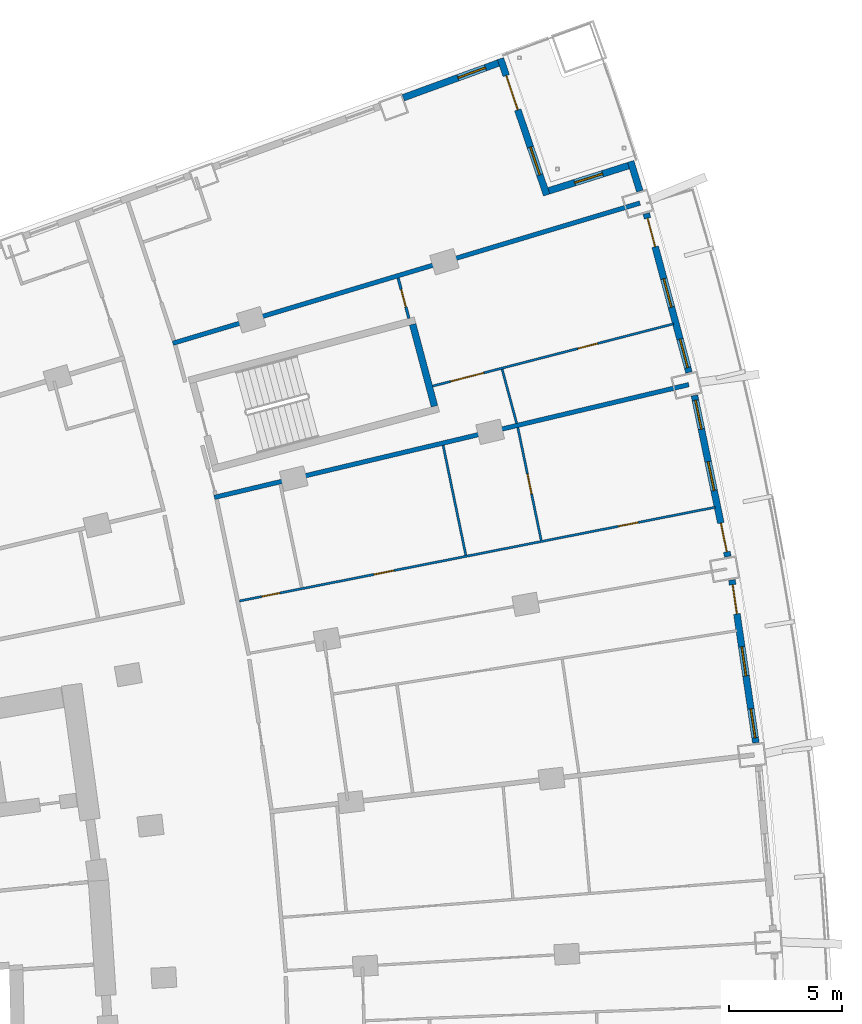
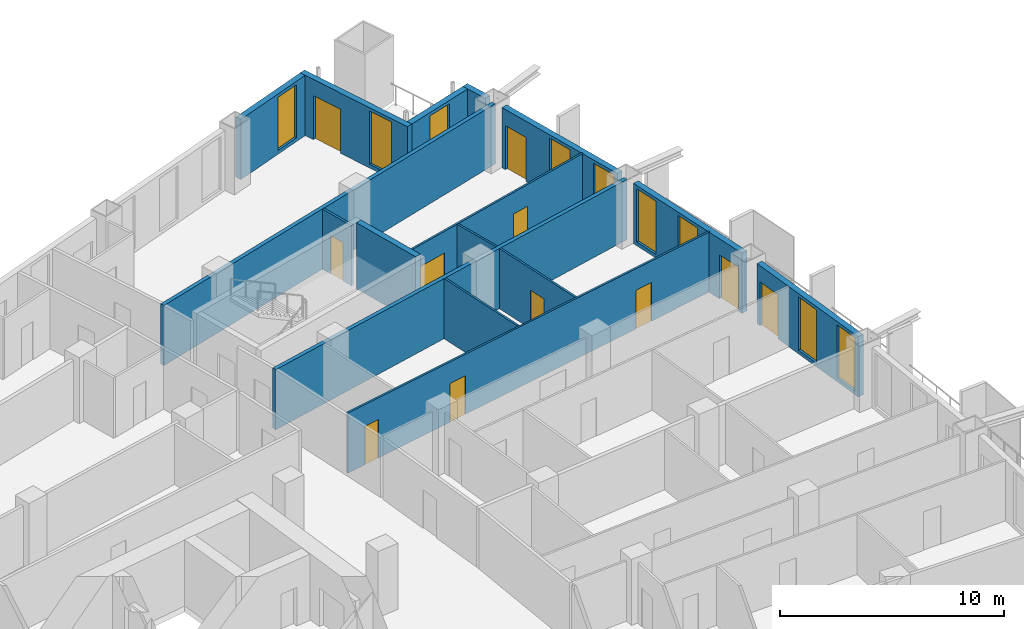
# One storey, part 21 of 25: 16 walls, 11 doors, 9 windows, 20 openings.
"""IFC4 building model written with IfcOpenShell, lengths in metres."""

from ifc_helpers import new_model, si_unit, direction, frame, frame_2d, origin, place, context, subcontext, project, spatial, rectangle, extrude, material, layer, layer_set, type_object, element, fill, save


model = new_model("IFC4")

# Units and contexts
model_context = context("Model", 3, precision=1e-05, world=origin(), true_north=direction((0.0, 1.0)))
body_context = subcontext(model_context, "Body", "Model", "MODEL_VIEW")
ifc_project = project(units=[si_unit("LENGTHUNIT", "METRE"), si_unit("AREAUNIT", "SQUARE_METRE"), si_unit("VOLUMEUNIT", "CUBIC_METRE"), si_unit("PLANEANGLEUNIT", "RADIAN"), si_unit("MASSUNIT", "GRAM", prefix="KILO")], contexts=[model_context])

# Site, building, storey
site_placement = place(None, origin())
site = spatial("IfcSite", under=ifc_project, at=site_placement, CompositionType="ELEMENT")
building_placement = place(site_placement, origin())
building = spatial("IfcBuilding", under=site, at=building_placement, Name="Alderwake Tower", CompositionType="ELEMENT")
storey_placement = place(building_placement, frame((0.0, 0.0, 57.199951171875)))
storey = spatial("IfcBuildingStorey", under=building, at=storey_placement, Name="L13", CompositionType="ELEMENT", Elevation=57.199951171875)

# Wall
ifc_material_1 = material(Name="Concrete C70/85", Category="concrete")
ifc_layer_1 = layer(ifc_material_1, 0.300048828125)
ifc_layer_set_1 = layer_set([ifc_layer_1], Name="Core wall stair enclosure 300 C70-85")
wall_type_1 = type_object("IfcWallType", Name="Core wall stair enclosure 300 C70-85", PredefinedType="SHEAR", material=ifc_layer_set_1)
wall_1_placement = place(storey_placement, frame((47.581298828125, 93.041748046875, 0.0), z_axis=(0.0, 0.0, 1.0), x_axis=(-0.257366821694, 0.966313778796, 0.0)))
element("IfcWall", 1, at=wall_1_placement, inside=storey, type_object=wall_type_1, Name="Core wall CW.081", PredefinedType="SHEAR", context=body_context, shape_type="SweptSolid", body=[
    extrude(rectangle(XDim=3.749755859375, YDim=0.300048828125, at=frame_2d((1.875, 0.0))), origin(), (0.0, 0.0, 1.0), 3.60009765625),
])

# Wall, openings, door, windows
ifc_material_2 = material(Name="Precast concrete C50/60 spandrel panel", Category="concrete")
ifc_layer_2 = layer(ifc_material_2, 0.300048828125)
ifc_layer_set_2 = layer_set([ifc_layer_2], Name="External wall EW1 Precast concrete C50/60 spandrel")
wall_type_2 = type_object("IfcWallType", Name="External wall EW1 Precast concrete C50/60 spandrel", PredefinedType="SOLIDWALL", material=ifc_layer_set_2)
wall_2_placement = place(storey_placement, frame((61.802734375, 78.147216796875, 0.0), z_axis=(0.0, 0.0, 1.0), x_axis=(-0.14532991295, 0.989383250516, 0.0)))
wall_2 = element("IfcWall", 2, at=wall_2_placement, inside=storey, type_object=wall_type_2, Name="External wall 19", PredefinedType="SOLIDWALL", context=body_context, shape_type="SweptSolid", body=[
    extrude(rectangle(XDim=7.282470703125, YDim=0.300048828125, at=frame_2d((3.64111328125, 0.0))), origin(), (0.0, 0.0, 1.0), 3.280029296875),
])
opening_1_placement = place(wall_2_placement, frame((0.218994140625, 0.0, 0.199951171875)))
opening_1 = element("IfcOpeningElement", 3, at=opening_1_placement, cuts=wall_2, Name="Opening W1", PredefinedType="OPENING", context=body_context, shape_type="SweptSolid", body=[
    extrude(rectangle(XDim=1.300048828125, YDim=2.89990234375, at=frame_2d((0.64990234375, 1.449951171875))), frame((0.0, 0.159912109375, 0.0), z_axis=(0.0, -1.0, 0.0), x_axis=(1.0, 0.0, 0.0)), (0.0, 0.0, 1.0), 0.320068359375),
])
opening_2_placement = place(wall_2_placement, frame((2.9912109375, 0.0, 0.199951171875)))
opening_2 = element("IfcOpeningElement", 4, at=opening_2_placement, cuts=wall_2, Name="Opening W1", PredefinedType="OPENING", context=body_context, shape_type="SweptSolid", body=[
    extrude(rectangle(XDim=1.300048828125, YDim=2.89990234375, at=frame_2d((0.64990234375, 1.449951171875))), frame((0.0, 0.159912109375, 0.0), z_axis=(0.0, -1.0, 0.0), x_axis=(1.0, 0.0, 0.0)), (0.0, 0.0, 1.0), 0.320068359375),
])
opening_3_placement = place(wall_2_placement, frame((5.763671875, 0.0, 0.0)))
opening_3 = element("IfcOpeningElement", 5, at=opening_3_placement, cuts=wall_2, Name="Opening D09", PredefinedType="OPENING", context=body_context, shape_type="SweptSolid", body=[
    extrude(rectangle(XDim=1.300048828125, YDim=2.39990234375, at=frame_2d((0.64990234375, 1.199951171875))), frame((0.0, 0.159912109375, 0.0), z_axis=(0.0, -1.0, 0.0), x_axis=(1.0, 0.0, 0.0)), (0.0, 0.0, 1.0), 0.320068359375),
])
ifc_material_3 = material(Name="Bronze tinted glass in aluminium frame", Category="aluminium")
door_type_1 = type_object("IfcDoorType", Name="Balcony door BD sliding", OperationType="SLIDING_TO_LEFT", PredefinedType="DOOR", material=ifc_material_3)
door_1_placement = place(opening_3_placement, origin())
door_1 = element("IfcDoor", 6, at=door_1_placement, inside=storey, type_object=door_type_1, Name="Door D09", OperationType="SLIDING_TO_LEFT", OverallHeight=2.39990234375, OverallWidth=1.300048828125, PredefinedType="DOOR", context=body_context, shape_type="SweptSolid", body=[
    extrude(rectangle(XDim=1.300048828125, YDim=2.39990234375, at=frame_2d((0.64990234375, 1.199951171875))), frame((0.0, 0.02490234375, 0.0), z_axis=(0.0, -1.0, 0.0), x_axis=(1.0, 0.0, 0.0)), (0.0, 0.0, 1.0), 0.050048828125),
])
fill(opening_3, door_1)
ifc_material_4 = material(Name="Bronze tinted glass in aluminium frame", Category="aluminium")
window_type = type_object("IfcWindowType", Name="Window W1 tall fixed and vent", PartitioningType="DOUBLE_PANEL_VERTICAL", PredefinedType="WINDOW", material=ifc_material_4)
window_1_placement = place(opening_1_placement, origin())
window_1 = element("IfcWindow", 7, at=window_1_placement, inside=storey, type_object=window_type, Name="Window W1 tall fixed and vent", OverallHeight=2.89990234375, OverallWidth=1.300048828125, PartitioningType="DOUBLE_PANEL_VERTICAL", PredefinedType="WINDOW", context=body_context, shape_type="SweptSolid", body=[
    extrude(rectangle(XDim=1.300048828125, YDim=2.89990234375, at=frame_2d((0.64990234375, 1.449951171875))), frame((0.0, 0.030029296875, 0.0), z_axis=(0.0, -1.0, 0.0), x_axis=(1.0, 0.0, 0.0)), (0.0, 0.0, 1.0), 0.06005859375),
])
fill(opening_1, window_1)
window_2_placement = place(opening_2_placement, origin())
window_2 = element("IfcWindow", 8, at=window_2_placement, inside=storey, type_object=window_type, Name="Window W1 tall fixed and vent", OverallHeight=2.89990234375, OverallWidth=1.300048828125, PartitioningType="DOUBLE_PANEL_VERTICAL", PredefinedType="WINDOW", context=body_context, shape_type="SweptSolid", body=[
    extrude(rectangle(XDim=1.300048828125, YDim=2.89990234375, at=frame_2d((0.64990234375, 1.449951171875))), frame((0.0, 0.030029296875, 0.0), z_axis=(0.0, -1.0, 0.0), x_axis=(1.0, 0.0, 0.0)), (0.0, 0.0, 1.0), 0.06005859375),
])
fill(opening_2, window_2)

wall_3_placement = place(storey_placement, frame((60.561767578125, 86.385009765625, 0.0), z_axis=(0.0, 0.0, 1.0), x_axis=(-0.202751929138, 0.979230133948, 0.0)))
wall_3 = element("IfcWall", 9, at=wall_3_placement, inside=storey, type_object=wall_type_2, Name="External wall 20", PredefinedType="SOLIDWALL", context=body_context, shape_type="SweptSolid", body=[
    extrude(rectangle(XDim=7.28271484375, YDim=0.300048828125, at=frame_2d((3.641357421875, 0.0))), origin(), (0.0, 0.0, 1.0), 3.280029296875),
])
opening_4_placement = place(wall_3_placement, frame((0.218994140625, 0.0, 0.0)))
opening_4 = element("IfcOpeningElement", 10, at=opening_4_placement, cuts=wall_3, Name="Opening D10", PredefinedType="OPENING", context=body_context, shape_type="SweptSolid", body=[
    extrude(rectangle(XDim=1.300048828125, YDim=2.39990234375, at=frame_2d((0.64990234375, 1.199951171875))), frame((0.0, 0.159912109375, 0.0), z_axis=(0.0, -1.0, 0.0), x_axis=(1.0, 0.0, 0.0)), (0.0, 0.0, 1.0), 0.320068359375),
])
opening_5_placement = place(wall_3_placement, frame((2.9912109375, 0.0, 0.199951171875)))
opening_5 = element("IfcOpeningElement", 11, at=opening_5_placement, cuts=wall_3, Name="Opening W1", PredefinedType="OPENING", context=body_context, shape_type="SweptSolid", body=[
    extrude(rectangle(XDim=1.300048828125, YDim=2.89990234375, at=frame_2d((0.64990234375, 1.449951171875))), frame((0.0, 0.159912109375, 0.0), z_axis=(0.0, -1.0, 0.0), x_axis=(1.0, 0.0, 0.0)), (0.0, 0.0, 1.0), 0.320068359375),
])
opening_6_placement = place(wall_3_placement, frame((5.763671875, 0.0, 0.199951171875)))
opening_6 = element("IfcOpeningElement", 12, at=opening_6_placement, cuts=wall_3, Name="Opening W1", PredefinedType="OPENING", context=body_context, shape_type="SweptSolid", body=[
    extrude(rectangle(XDim=1.300048828125, YDim=2.89990234375, at=frame_2d((0.64990234375, 1.449951171875))), frame((0.0, 0.159912109375, 0.0), z_axis=(0.0, -1.0, 0.0), x_axis=(1.0, 0.0, 0.0)), (0.0, 0.0, 1.0), 0.320068359375),
])
door_2_placement = place(opening_4_placement, origin())
door_2 = element("IfcDoor", 13, at=door_2_placement, inside=storey, type_object=door_type_1, Name="Door D10", OperationType="SLIDING_TO_LEFT", OverallHeight=2.39990234375, OverallWidth=1.300048828125, PredefinedType="DOOR", context=body_context, shape_type="SweptSolid", body=[
    extrude(rectangle(XDim=1.300048828125, YDim=2.39990234375, at=frame_2d((0.64990234375, 1.199951171875))), frame((0.0, 0.02490234375, 0.0), z_axis=(0.0, -1.0, 0.0), x_axis=(1.0, 0.0, 0.0)), (0.0, 0.0, 1.0), 0.050048828125),
])
fill(opening_4, door_2)
window_3_placement = place(opening_5_placement, origin())
window_3 = element("IfcWindow", 14, at=window_3_placement, inside=storey, type_object=window_type, Name="Window W1 tall fixed and vent", OverallHeight=2.89990234375, OverallWidth=1.300048828125, PartitioningType="DOUBLE_PANEL_VERTICAL", PredefinedType="WINDOW", context=body_context, shape_type="SweptSolid", body=[
    extrude(rectangle(XDim=1.300048828125, YDim=2.89990234375, at=frame_2d((0.64990234375, 1.449951171875))), frame((0.0, 0.030029296875, 0.0), z_axis=(0.0, -1.0, 0.0), x_axis=(1.0, 0.0, 0.0)), (0.0, 0.0, 1.0), 0.06005859375),
])
fill(opening_5, window_3)
window_4_placement = place(opening_6_placement, origin())
window_4 = element("IfcWindow", 15, at=window_4_placement, inside=storey, type_object=window_type, Name="Window W1 tall fixed and vent", OverallHeight=2.89990234375, OverallWidth=1.300048828125, PartitioningType="DOUBLE_PANEL_VERTICAL", PredefinedType="WINDOW", context=body_context, shape_type="SweptSolid", body=[
    extrude(rectangle(XDim=1.300048828125, YDim=2.89990234375, at=frame_2d((0.64990234375, 1.449951171875))), frame((0.0, 0.030029296875, 0.0), z_axis=(0.0, -1.0, 0.0), x_axis=(1.0, 0.0, 0.0)), (0.0, 0.0, 1.0), 0.06005859375),
])
fill(opening_6, window_4)

wall_4_placement = place(storey_placement, frame((58.8427734375, 94.53662109375, 0.0), z_axis=(0.0, 0.0, 1.0), x_axis=(-0.259504577704, 0.9657418776, 0.0)))
wall_4 = element("IfcWall", 16, at=wall_4_placement, inside=storey, type_object=wall_type_2, Name="External wall 21", PredefinedType="SOLIDWALL", context=body_context, shape_type="SweptSolid", body=[
    extrude(rectangle(XDim=7.28271484375, YDim=0.300048828125, at=frame_2d((3.641357421875, 0.0))), origin(), (0.0, 0.0, 1.0), 3.280029296875),
])
opening_7_placement = place(wall_4_placement, frame((0.218994140625, 0.0, 0.199951171875)))
opening_7 = element("IfcOpeningElement", 17, at=opening_7_placement, cuts=wall_4, Name="Opening W1", PredefinedType="OPENING", context=body_context, shape_type="SweptSolid", body=[
    extrude(rectangle(XDim=1.300048828125, YDim=2.89990234375, at=frame_2d((0.64990234375, 1.449951171875))), frame((0.0, 0.159912109375, 0.0), z_axis=(0.0, -1.0, 0.0), x_axis=(1.0, 0.0, 0.0)), (0.0, 0.0, 1.0), 0.320068359375),
])
opening_8_placement = place(wall_4_placement, frame((2.9912109375, 0.0, 0.199951171875)))
opening_8 = element("IfcOpeningElement", 18, at=opening_8_placement, cuts=wall_4, Name="Opening W1", PredefinedType="OPENING", context=body_context, shape_type="SweptSolid", body=[
    extrude(rectangle(XDim=1.300048828125, YDim=2.89990234375, at=frame_2d((0.64990234375, 1.449951171875))), frame((0.0, 0.159912109375, 0.0), z_axis=(0.0, -1.0, 0.0), x_axis=(1.0, 0.0, 0.0)), (0.0, 0.0, 1.0), 0.320068359375),
])
opening_9_placement = place(wall_4_placement, frame((5.763671875, 0.0, 0.0)))
opening_9 = element("IfcOpeningElement", 19, at=opening_9_placement, cuts=wall_4, Name="Opening D11", PredefinedType="OPENING", context=body_context, shape_type="SweptSolid", body=[
    extrude(rectangle(XDim=1.300048828125, YDim=2.39990234375, at=frame_2d((0.64990234375, 1.199951171875))), frame((0.0, 0.159912109375, 0.0), z_axis=(0.0, -1.0, 0.0), x_axis=(1.0, 0.0, 0.0)), (0.0, 0.0, 1.0), 0.320068359375),
])
door_3_placement = place(opening_9_placement, origin())
door_3 = element("IfcDoor", 20, at=door_3_placement, inside=storey, type_object=door_type_1, Name="Door D11", OperationType="SLIDING_TO_LEFT", OverallHeight=2.39990234375, OverallWidth=1.300048828125, PredefinedType="DOOR", context=body_context, shape_type="SweptSolid", body=[
    extrude(rectangle(XDim=1.300048828125, YDim=2.39990234375, at=frame_2d((0.64990234375, 1.199951171875))), frame((0.0, 0.02490234375, 0.0), z_axis=(0.0, -1.0, 0.0), x_axis=(1.0, 0.0, 0.0)), (0.0, 0.0, 1.0), 0.050048828125),
])
fill(opening_9, door_3)
window_5_placement = place(opening_7_placement, origin())
window_5 = element("IfcWindow", 21, at=window_5_placement, inside=storey, type_object=window_type, Name="Window W1 tall fixed and vent", OverallHeight=2.89990234375, OverallWidth=1.300048828125, PartitioningType="DOUBLE_PANEL_VERTICAL", PredefinedType="WINDOW", context=body_context, shape_type="SweptSolid", body=[
    extrude(rectangle(XDim=1.300048828125, YDim=2.89990234375, at=frame_2d((0.64990234375, 1.449951171875))), frame((0.0, 0.030029296875, 0.0), z_axis=(0.0, -1.0, 0.0), x_axis=(1.0, 0.0, 0.0)), (0.0, 0.0, 1.0), 0.06005859375),
])
fill(opening_7, window_5)
window_6_placement = place(opening_8_placement, origin())
window_6 = element("IfcWindow", 22, at=window_6_placement, inside=storey, type_object=window_type, Name="Window W1 tall fixed and vent", OverallHeight=2.89990234375, OverallWidth=1.300048828125, PartitioningType="DOUBLE_PANEL_VERTICAL", PredefinedType="WINDOW", context=body_context, shape_type="SweptSolid", body=[
    extrude(rectangle(XDim=1.300048828125, YDim=2.89990234375, at=frame_2d((0.64990234375, 1.449951171875))), frame((0.0, 0.030029296875, 0.0), z_axis=(0.0, -1.0, 0.0), x_axis=(1.0, 0.0, 0.0)), (0.0, 0.0, 1.0), 0.06005859375),
])
fill(opening_8, window_6)

# Wall
wall_5_placement = place(storey_placement, frame((56.667724609375, 102.56005859375, 0.0), z_axis=(0.0, 0.0, 1.0), x_axis=(-0.294496968281, 0.955652413628, 0.0)))
element("IfcWall", 23, at=wall_5_placement, inside=storey, type_object=wall_type_2, Name="External wall 22", PredefinedType="SOLIDWALL", context=body_context, shape_type="SweptSolid", body=[
    extrude(rectangle(XDim=1.376953125, YDim=0.300048828125, at=frame_2d((0.6884765625, 0.0))), origin(), (0.0, 0.0, 1.0), 3.280029296875),
])

# Wall, opening, window
ifc_material_5 = material(Name="Bronze metal cladding on lightweight framing")
ifc_layer_3 = layer(ifc_material_5, 0.300048828125)
ifc_layer_set_3 = layer_set([ifc_layer_3], Name="External wall EW2 bronze metal cladding")
wall_type_3 = type_object("IfcWallType", Name="External wall EW2 bronze metal cladding", PredefinedType="SOLIDWALL", material=ifc_layer_set_3)
wall_6_placement = place(storey_placement, frame((56.163330078125, 103.6875, 0.0), z_axis=(0.0, 0.0, 1.0), x_axis=(-0.953466730622, -0.301498248083, 0.0)))
wall_6 = element("IfcWall", 24, at=wall_6_placement, inside=storey, type_object=wall_type_3, Name="External wall 23", PredefinedType="SOLIDWALL", context=body_context, shape_type="SweptSolid", body=[
    extrude(rectangle(XDim=3.694091796875, YDim=0.300048828125, at=frame_2d((1.84716796875, 0.0))), origin(), (0.0, 0.0, 1.0), 3.280029296875),
])
opening_10_placement = place(wall_6_placement, frame((1.197021484375, 0.0, 0.199951171875)))
opening_10 = element("IfcOpeningElement", 25, at=opening_10_placement, cuts=wall_6, Name="Opening W1", PredefinedType="OPENING", context=body_context, shape_type="SweptSolid", body=[
    extrude(rectangle(XDim=1.300048828125, YDim=2.89990234375, at=frame_2d((0.64990234375, 1.449951171875))), frame((0.0, 0.159912109375, 0.0), z_axis=(0.0, -1.0, 0.0), x_axis=(1.0, 0.0, 0.0)), (0.0, 0.0, 1.0), 0.320068359375),
])
window_7_placement = place(opening_10_placement, origin())
window_7 = element("IfcWindow", 26, at=window_7_placement, inside=storey, type_object=window_type, Name="Window W1 tall fixed and vent", OverallHeight=2.89990234375, OverallWidth=1.300048828125, PartitioningType="DOUBLE_PANEL_VERTICAL", PredefinedType="WINDOW", context=body_context, shape_type="SweptSolid", body=[
    extrude(rectangle(XDim=1.300048828125, YDim=2.89990234375, at=frame_2d((0.64990234375, 1.449951171875))), frame((0.0, 0.030029296875, 0.0), z_axis=(0.0, -1.0, 0.0), x_axis=(1.0, 0.0, 0.0)), (0.0, 0.0, 1.0), 0.06005859375),
])
fill(opening_10, window_7)

# Wall, openings, door, window
wall_7_placement = place(storey_placement, frame((52.546142578125, 102.386474609375, 0.0), z_axis=(0.0, 0.0, 1.0), x_axis=(-0.320935050744, 0.947101205365, 0.0)))
wall_7 = element("IfcWall", 27, at=wall_7_placement, inside=storey, type_object=wall_type_3, Name="External wall 24", PredefinedType="SOLIDWALL", context=body_context, shape_type="SweptSolid", body=[
    extrude(rectangle(XDim=6.3740234375, YDim=0.300048828125, at=frame_2d((3.18701171875, 0.0))), origin(), (0.0, 0.0, 1.0), 3.280029296875),
])
opening_11_placement = place(wall_7_placement, frame((0.943603515625, 0.0, 0.199951171875)))
opening_11 = element("IfcOpeningElement", 28, at=opening_11_placement, cuts=wall_7, Name="Opening W1", PredefinedType="OPENING", context=body_context, shape_type="SweptSolid", body=[
    extrude(rectangle(XDim=1.300048828125, YDim=2.89990234375, at=frame_2d((0.64990234375, 1.449951171875))), frame((0.0, 0.159912109375, 0.0), z_axis=(0.0, -1.0, 0.0), x_axis=(1.0, 0.0, 0.0)), (0.0, 0.0, 1.0), 0.320068359375),
])
opening_12_placement = place(wall_7_placement, frame((3.980712890625, 0.0, 0.0)))
opening_12 = element("IfcOpeningElement", 29, at=opening_12_placement, cuts=wall_7, Name="Opening D12", PredefinedType="OPENING", context=body_context, shape_type="SweptSolid", body=[
    extrude(rectangle(XDim=1.60009765625, YDim=2.39990234375, at=frame_2d((0.800048828125, 1.199951171875))), frame((0.0, 0.159912109375, 0.0), z_axis=(0.0, -1.0, 0.0), x_axis=(1.0, 0.0, 0.0)), (0.0, 0.0, 1.0), 0.320068359375),
])
ifc_material_6 = material(Name="Bronze tinted glass in aluminium frame", Category="aluminium")
door_type_2 = type_object("IfcDoorType", Name="Terrace door TD sliding", OperationType="SLIDING_TO_LEFT", PredefinedType="DOOR", material=ifc_material_6)
door_4_placement = place(opening_12_placement, origin())
door_4 = element("IfcDoor", 30, at=door_4_placement, inside=storey, type_object=door_type_2, Name="Door D12", OperationType="SLIDING_TO_LEFT", OverallHeight=2.39990234375, OverallWidth=1.60009765625, PredefinedType="DOOR", context=body_context, shape_type="SweptSolid", body=[
    extrude(rectangle(XDim=1.60009765625, YDim=2.39990234375, at=frame_2d((0.800048828125, 1.199951171875))), frame((0.0, 0.02490234375, 0.0), z_axis=(0.0, -1.0, 0.0), x_axis=(1.0, 0.0, 0.0)), (0.0, 0.0, 1.0), 0.050048828125),
])
fill(opening_12, door_4)
window_8_placement = place(opening_11_placement, origin())
window_8 = element("IfcWindow", 31, at=window_8_placement, inside=storey, type_object=window_type, Name="Window W1 tall fixed and vent", OverallHeight=2.89990234375, OverallWidth=1.300048828125, PartitioningType="DOUBLE_PANEL_VERTICAL", PredefinedType="WINDOW", context=body_context, shape_type="SweptSolid", body=[
    extrude(rectangle(XDim=1.300048828125, YDim=2.89990234375, at=frame_2d((0.64990234375, 1.449951171875))), frame((0.0, 0.030029296875, 0.0), z_axis=(0.0, -1.0, 0.0), x_axis=(1.0, 0.0, 0.0)), (0.0, 0.0, 1.0), 0.06005859375),
])
fill(opening_11, window_8)

# Wall, opening, window
wall_8_placement = place(storey_placement, frame((50.407958984375, 108.22998046875, 0.0), z_axis=(0.0, 0.0, 1.0), x_axis=(-0.939377384623, -0.3428850088, 0.0)))
wall_8 = element("IfcWall", 32, at=wall_8_placement, inside=storey, type_object=wall_type_3, Name="External wall 25", PredefinedType="SOLIDWALL", context=body_context, shape_type="SweptSolid", body=[
    extrude(rectangle(XDim=4.479248046875, YDim=0.300048828125, at=frame_2d((2.23974609375, 0.0))), origin(), (0.0, 0.0, 1.0), 3.280029296875),
])
opening_13_placement = place(wall_8_placement, frame((0.60791015625, 0.0, 0.199951171875)))
opening_13 = element("IfcOpeningElement", 33, at=opening_13_placement, cuts=wall_8, Name="Opening W1", PredefinedType="OPENING", context=body_context, shape_type="SweptSolid", body=[
    extrude(rectangle(XDim=1.300048828125, YDim=2.89990234375, at=frame_2d((0.64990234375, 1.449951171875))), frame((0.0, 0.159912109375, 0.0), z_axis=(0.0, -1.0, 0.0), x_axis=(1.0, 0.0, 0.0)), (0.0, 0.0, 1.0), 0.320068359375),
])
window_9_placement = place(opening_13_placement, origin())
window_9 = element("IfcWindow", 34, at=window_9_placement, inside=storey, type_object=window_type, Name="Window W1 tall fixed and vent", OverallHeight=2.89990234375, OverallWidth=1.300048828125, PartitioningType="DOUBLE_PANEL_VERTICAL", PredefinedType="WINDOW", context=body_context, shape_type="SweptSolid", body=[
    extrude(rectangle(XDim=1.300048828125, YDim=2.89990234375, at=frame_2d((0.64990234375, 1.449951171875))), frame((0.0, 0.030029296875, 0.0), z_axis=(0.0, -1.0, 0.0), x_axis=(1.0, 0.0, 0.0)), (0.0, 0.0, 1.0), 0.06005859375),
])
fill(opening_13, window_9)

# Walls
ifc_material_7 = material(Name="Dense block masonry wall", Category="masonry")
ifc_layer_4 = layer(ifc_material_7, 0.199951171875)
ifc_layer_set_4 = layer_set([ifc_layer_4], Name="Party wall 200")
wall_type_4 = type_object("IfcWallType", Name="Party wall 200", PredefinedType="SOLIDWALL", material=ifc_layer_set_4)
wall_9_placement = place(storey_placement, frame((37.839111328125, 89.006591796875, 0.0), z_axis=(0.0, 0.0, 1.0), x_axis=(0.972900578851, 0.23122383889, 0.0)))
element("IfcWall", 35, at=wall_9_placement, inside=storey, type_object=wall_type_4, Name="WL/L13/W05", PredefinedType="SOLIDWALL", context=body_context, shape_type="SweptSolid", body=[
    extrude(rectangle(XDim=21.57861328125, YDim=0.199951171875, at=frame_2d((10.789306640625, 0.0))), origin(), (0.0, 0.0, 1.0), 3.280029296875),
])
wall_10_placement = place(storey_placement, frame((56.673095703125, 102.032958984375, 0.0), z_axis=(0.0, 0.0, 1.0), x_axis=(-0.957756821729, -0.287579328936, 0.0)))
element("IfcWall", 36, at=wall_10_placement, inside=storey, type_object=wall_type_4, Name="WL/L13/W08", PredefinedType="SOLIDWALL", context=body_context, shape_type="SweptSolid", body=[
    extrude(rectangle(XDim=21.580322265625, YDim=0.199951171875, at=frame_2d((10.7900390625, 0.0))), origin(), (0.0, 0.0, 1.0), 3.280029296875),
])

# Wall, openings, doors
ifc_material_8 = material(Name="Gypsum board on metal studs")
ifc_layer_5 = layer(ifc_material_8, 0.10009765625)
ifc_layer_set_5 = layer_set([ifc_layer_5], Name="Unit partition 100")
wall_type_5 = type_object("IfcWallType", Name="Unit partition 100", PredefinedType="PARTITIONING", material=ifc_layer_set_5)
wall_11_placement = place(storey_placement, frame((38.949462890625, 84.423583984375, 0.0), z_axis=(0.0, 0.0, 1.0), x_axis=(0.981145266599, 0.1932717409, 0.0)))
wall_11 = element("IfcWall", 37, at=wall_11_placement, inside=storey, type_object=wall_type_5, Name="WL/L13/W67", PredefinedType="PARTITIONING", context=body_context, shape_type="SweptSolid", body=[
    extrude(rectangle(XDim=21.46435546875, YDim=0.10009765625, at=frame_2d((10.732177734375, 0.0))), origin(), (0.0, 0.0, 1.0), 3.280029296875),
])
opening_14_placement = place(wall_11_placement, frame((6.070556640625, 0.0, 0.0)))
opening_14 = element("IfcOpeningElement", 38, at=opening_14_placement, cuts=wall_11, Name="Opening R03-U08.6", PredefinedType="OPENING", context=body_context, shape_type="SweptSolid", body=[
    extrude(rectangle(XDim=0.89990234375, YDim=2.10009765625, at=frame_2d((0.449951171875, 1.050048828125))), frame((0.0, 0.06005859375, 0.0), z_axis=(0.0, -1.0, 0.0), x_axis=(1.0, 0.0, 0.0)), (0.0, 0.0, 1.0), 0.1201171875),
])
opening_15_placement = place(wall_11_placement, frame((1.009521484375, 0.0, 0.0)))
opening_15 = element("IfcOpeningElement", 39, at=opening_15_placement, cuts=wall_11, Name="Opening R03-U08.7", PredefinedType="OPENING", context=body_context, shape_type="SweptSolid", body=[
    extrude(rectangle(XDim=0.800048828125, YDim=2.10009765625, at=frame_2d((0.39990234375, 1.050048828125))), frame((0.0, 0.06005859375, 0.0), z_axis=(0.0, -1.0, 0.0), x_axis=(1.0, 0.0, 0.0)), (0.0, 0.0, 1.0), 0.1201171875),
])
opening_16_placement = place(wall_11_placement, frame((17.09130859375, 0.0, 0.0)))
opening_16 = element("IfcOpeningElement", 40, at=opening_16_placement, cuts=wall_11, Name="Opening R03-U08.8", PredefinedType="OPENING", context=body_context, shape_type="SweptSolid", body=[
    extrude(rectangle(XDim=0.89990234375, YDim=2.10009765625, at=frame_2d((0.449951171875, 1.050048828125))), frame((0.0, 0.06005859375, 0.0), z_axis=(0.0, -1.0, 0.0), x_axis=(1.0, 0.0, 0.0)), (0.0, 0.0, 1.0), 0.1201171875),
])
ifc_material_9 = material(Name="Painted timber leaf", Category="wood")
door_type_3 = type_object("IfcDoorType", Name="Bathroom door 800", OperationType="SINGLE_SWING_LEFT", PredefinedType="DOOR", material=ifc_material_9)
door_5_placement = place(opening_15_placement, origin())
door_5 = element("IfcDoor", 41, at=door_5_placement, inside=storey, type_object=door_type_3, Name="DR/L13/U08.7", OperationType="SINGLE_SWING_LEFT", OverallHeight=2.10009765625, OverallWidth=0.800048828125, PredefinedType="DOOR", context=body_context, shape_type="SweptSolid", body=[
    extrude(rectangle(XDim=0.800048828125, YDim=2.10009765625, at=frame_2d((0.39990234375, 1.050048828125))), frame((0.0, 0.02490234375, 0.0), z_axis=(0.0, -1.0, 0.0), x_axis=(1.0, 0.0, 0.0)), (0.0, 0.0, 1.0), 0.050048828125),
])
fill(opening_15, door_5)
ifc_material_10 = material(Name="Painted timber leaf", Category="wood")
door_type_4 = type_object("IfcDoorType", Name="Room door 900", OperationType="SINGLE_SWING_LEFT", PredefinedType="DOOR", material=ifc_material_10)
door_6_placement = place(opening_14_placement, origin())
door_6 = element("IfcDoor", 42, at=door_6_placement, inside=storey, type_object=door_type_4, Name="DR/L13/U08.6", OperationType="SINGLE_SWING_LEFT", OverallHeight=2.10009765625, OverallWidth=0.89990234375, PredefinedType="DOOR", context=body_context, shape_type="SweptSolid", body=[
    extrude(rectangle(XDim=0.89990234375, YDim=2.10009765625, at=frame_2d((0.449951171875, 1.050048828125))), frame((0.0, 0.02490234375, 0.0), z_axis=(0.0, -1.0, 0.0), x_axis=(1.0, 0.0, 0.0)), (0.0, 0.0, 1.0), 0.050048828125),
])
fill(opening_14, door_6)
door_7_placement = place(opening_16_placement, origin())
door_7 = element("IfcDoor", 43, at=door_7_placement, inside=storey, type_object=door_type_4, Name="DR/L13/U08.8", OperationType="SINGLE_SWING_LEFT", OverallHeight=2.10009765625, OverallWidth=0.89990234375, PredefinedType="DOOR", context=body_context, shape_type="SweptSolid", body=[
    extrude(rectangle(XDim=0.89990234375, YDim=2.10009765625, at=frame_2d((0.449951171875, 1.050048828125))), frame((0.0, 0.02490234375, 0.0), z_axis=(0.0, -1.0, 0.0), x_axis=(1.0, 0.0, 0.0)), (0.0, 0.0, 1.0), 0.050048828125),
])
fill(opening_16, door_7)

wall_12_placement = place(storey_placement, frame((47.4990234375, 93.93310546875, 0.0), z_axis=(0.0, 0.0, 1.0), x_axis=(0.968223312378, 0.250087219519, 0.0)))
wall_12 = element("IfcWall", 44, at=wall_12_placement, inside=storey, type_object=wall_type_5, Name="WL/L13/W76", PredefinedType="PARTITIONING", context=body_context, shape_type="SweptSolid", body=[
    extrude(rectangle(XDim=11.01171875, YDim=0.10009765625, at=frame_2d((5.505859375, 0.0))), origin(), (0.0, 0.0, 1.0), 3.280029296875),
])
opening_17_placement = place(wall_12_placement, frame((0.831787109375, 0.0, 0.0)))
opening_17 = element("IfcOpeningElement", 45, at=opening_17_placement, cuts=wall_12, Name="Opening R03-U02.2", PredefinedType="OPENING", context=body_context, shape_type="SweptSolid", body=[
    extrude(rectangle(XDim=1.5, YDim=2.10009765625, at=frame_2d((0.75, 1.050048828125))), frame((0.0, 0.06005859375, 0.0), z_axis=(0.0, -1.0, 0.0), x_axis=(1.0, 0.0, 0.0)), (0.0, 0.0, 1.0), 0.1201171875),
])
opening_18_placement = place(wall_12_placement, frame((6.6376953125, 0.0, 0.0)))
opening_18 = element("IfcOpeningElement", 46, at=opening_18_placement, cuts=wall_12, Name="Opening R03-U02.3", PredefinedType="OPENING", context=body_context, shape_type="SweptSolid", body=[
    extrude(rectangle(XDim=0.89990234375, YDim=2.10009765625, at=frame_2d((0.449951171875, 1.050048828125))), frame((0.0, 0.06005859375, 0.0), z_axis=(0.0, -1.0, 0.0), x_axis=(1.0, 0.0, 0.0)), (0.0, 0.0, 1.0), 0.1201171875),
])
ifc_material_11 = material(Name="Painted timber leaves", Category="wood")
door_type_5 = type_object("IfcDoorType", Name="Double leaf door 1500", OperationType="DOUBLE_DOOR_SINGLE_SWING", PredefinedType="DOOR", material=ifc_material_11)
door_8_placement = place(opening_17_placement, origin())
door_8 = element("IfcDoor", 47, at=door_8_placement, inside=storey, type_object=door_type_5, Name="DR/L13/U02.2", OperationType="DOUBLE_DOOR_SINGLE_SWING", OverallHeight=2.10009765625, OverallWidth=1.5, PredefinedType="DOOR", context=body_context, shape_type="SweptSolid", body=[
    extrude(rectangle(XDim=1.5, YDim=2.10009765625, at=frame_2d((0.75, 1.050048828125))), frame((0.0, 0.02490234375, 0.0), z_axis=(0.0, -1.0, 0.0), x_axis=(1.0, 0.0, 0.0)), (0.0, 0.0, 1.0), 0.050048828125),
])
fill(opening_17, door_8)
door_9_placement = place(opening_18_placement, origin())
door_9 = element("IfcDoor", 48, at=door_9_placement, inside=storey, type_object=door_type_4, Name="DR/L13/U02.3", OperationType="SINGLE_SWING_LEFT", OverallHeight=2.10009765625, OverallWidth=0.89990234375, PredefinedType="DOOR", context=body_context, shape_type="SweptSolid", body=[
    extrude(rectangle(XDim=0.89990234375, YDim=2.10009765625, at=frame_2d((0.449951171875, 1.050048828125))), frame((0.0, 0.02490234375, 0.0), z_axis=(0.0, -1.0, 0.0), x_axis=(1.0, 0.0, 0.0)), (0.0, 0.0, 1.0), 0.050048828125),
])
fill(opening_18, door_9)

# Walls
wall_13_placement = place(storey_placement, frame((48.968017578125, 86.448974609375, 0.0), z_axis=(0.0, 0.0, 1.0), x_axis=(-0.202431544222, 0.979296415752, 0.0)))
element("IfcWall", 49, at=wall_13_placement, inside=storey, type_object=wall_type_5, Name="WL/L13/W78", PredefinedType="PARTITIONING", context=body_context, shape_type="SweptSolid", body=[
    extrude(rectangle(XDim=4.962890625, YDim=0.10009765625, at=frame_2d((2.4814453125, 0.0))), origin(), (0.0, 0.0, 1.0), 3.280029296875),
])
wall_14_placement = place(storey_placement, frame((51.217041015625, 92.28662109375, 0.0), z_axis=(0.0, 0.0, 1.0), x_axis=(-0.259442778972, 0.965758481422, 0.0)))
element("IfcWall", 50, at=wall_14_placement, inside=storey, type_object=wall_type_5, Name="WL/L13/W82", PredefinedType="PARTITIONING", context=body_context, shape_type="SweptSolid", body=[
    extrude(rectangle(XDim=2.474853515625, YDim=0.10009765625, at=frame_2d((1.2373046875, 0.0))), origin(), (0.0, 0.0, 1.0), 3.280029296875),
])

# Wall, opening, door
wall_15_placement = place(storey_placement, frame((52.3037109375, 87.10595703125, 0.0), z_axis=(0.0, 0.0, 1.0), x_axis=(-0.20302230098, 0.979174113886, 0.0)))
wall_15 = element("IfcWall", 51, at=wall_15_placement, inside=storey, type_object=wall_type_5, Name="WL/L13/W84", PredefinedType="PARTITIONING", context=body_context, shape_type="SweptSolid", body=[
    extrude(rectangle(XDim=5.09521484375, YDim=0.10009765625, at=frame_2d((2.547607421875, 0.0))), origin(), (0.0, 0.0, 1.0), 3.280029296875),
])
opening_19_placement = place(wall_15_placement, frame((2.09765625, 0.0, 0.0)))
opening_19 = element("IfcOpeningElement", 52, at=opening_19_placement, cuts=wall_15, Name="Opening R03-U08.9", PredefinedType="OPENING", context=body_context, shape_type="SweptSolid", body=[
    extrude(rectangle(XDim=0.89990234375, YDim=2.10009765625, at=frame_2d((0.449951171875, 1.050048828125))), frame((0.0, 0.06005859375, 0.0), z_axis=(0.0, -1.0, 0.0), x_axis=(1.0, 0.0, 0.0)), (0.0, 0.0, 1.0), 0.1201171875),
])
door_10_placement = place(opening_19_placement, origin())
door_10 = element("IfcDoor", 53, at=door_10_placement, inside=storey, type_object=door_type_4, Name="DR/L13/U08.9", OperationType="SINGLE_SWING_LEFT", OverallHeight=2.10009765625, OverallWidth=0.89990234375, PredefinedType="DOOR", context=body_context, shape_type="SweptSolid", body=[
    extrude(rectangle(XDim=0.89990234375, YDim=2.10009765625, at=frame_2d((0.449951171875, 1.050048828125))), frame((0.0, 0.02490234375, 0.0), z_axis=(0.0, -1.0, 0.0), x_axis=(1.0, 0.0, 0.0)), (0.0, 0.0, 1.0), 0.050048828125),
])
fill(opening_19, door_10)

ifc_material_12 = material(Name="Moisture resistant gypsum board on metal studs")
ifc_layer_6 = layer(ifc_material_12, 0.1201171875)
ifc_layer_set_6 = layer_set([ifc_layer_6], Name="Wet room partition 120")
wall_type_6 = type_object("IfcWallType", Name="Wet room partition 120", PredefinedType="PARTITIONING", material=ifc_layer_set_6)
wall_16_placement = place(storey_placement, frame((46.448974609375, 96.929931640625, 0.0), z_axis=(0.0, 0.0, 1.0), x_axis=(-0.258764710752, 0.965940383497, 0.0)))
wall_16 = element("IfcWall", 54, at=wall_16_placement, inside=storey, type_object=wall_type_6, Name="WL/L13/W59", PredefinedType="PARTITIONING", context=body_context, shape_type="SweptSolid", body=[
    extrude(rectangle(XDim=1.847412109375, YDim=0.1201171875, at=frame_2d((0.923828125, 0.0))), origin(), (0.0, 0.0, 1.0), 3.280029296875),
])
opening_20_placement = place(wall_16_placement, frame((0.524169921875, 0.0, 0.0)))
opening_20 = element("IfcOpeningElement", 55, at=opening_20_placement, cuts=wall_16, Name="Opening R03-U02.4", PredefinedType="OPENING", context=body_context, shape_type="SweptSolid", body=[
    extrude(rectangle(XDim=0.800048828125, YDim=2.10009765625, at=frame_2d((0.39990234375, 1.050048828125))), frame((0.0, 0.070068359375, 0.0), z_axis=(0.0, -1.0, 0.0), x_axis=(1.0, 0.0, 0.0)), (0.0, 0.0, 1.0), 0.14013671875),
])
door_11_placement = place(opening_20_placement, origin())
door_11 = element("IfcDoor", 56, at=door_11_placement, inside=storey, type_object=door_type_3, Name="DR/L13/U02.4", OperationType="SINGLE_SWING_LEFT", OverallHeight=2.10009765625, OverallWidth=0.800048828125, PredefinedType="DOOR", context=body_context, shape_type="SweptSolid", body=[
    extrude(rectangle(XDim=0.800048828125, YDim=2.10009765625, at=frame_2d((0.39990234375, 1.050048828125))), frame((0.0, 0.02490234375, 0.0), z_axis=(0.0, -1.0, 0.0), x_axis=(1.0, 0.0, 0.0)), (0.0, 0.0, 1.0), 0.050048828125),
])
fill(opening_20, door_11)

save(model, "model.ifc")
